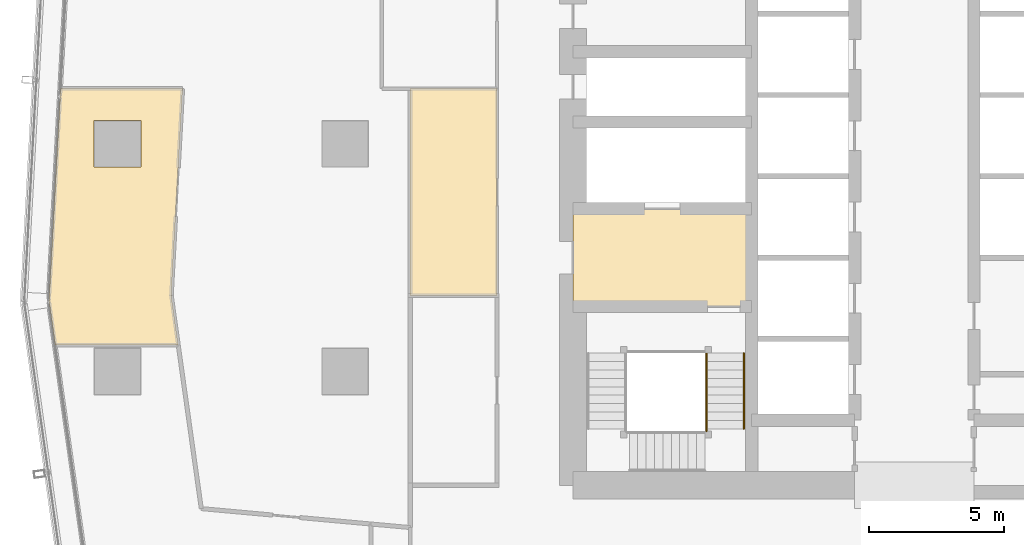
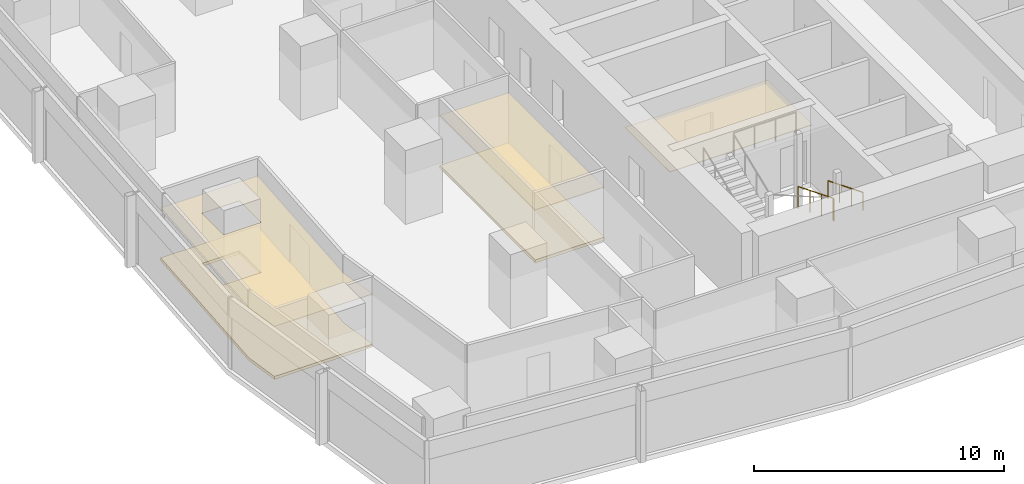
# One storey, part 34 of 40: 5 coverings, 3 railings.
"""IFC4 building model written with IfcOpenShell, lengths in metres."""

from ifc_helpers import new_model, si_unit, direction, frame, origin, origin_2d, place, context, subcontext, project, spatial, polyline, circle, outline, extrude, material, layer, layer_set, type_object, element, save


model = new_model("IFC4")

# Units and contexts
model_context = context("Model", 3, precision=1e-05, world=origin(), true_north=direction((0.0, 1.0)))
body_context = subcontext(model_context, "Body", "Model", "MODEL_VIEW")
ifc_project = project(units=[si_unit("LENGTHUNIT", "METRE"), si_unit("AREAUNIT", "SQUARE_METRE"), si_unit("VOLUMEUNIT", "CUBIC_METRE"), si_unit("PLANEANGLEUNIT", "RADIAN"), si_unit("MASSUNIT", "GRAM", prefix="KILO")], contexts=[model_context])

# Site, building, storey
site_placement = place(None, origin())
site = spatial("IfcSite", under=ifc_project, at=site_placement, CompositionType="ELEMENT")
building_placement = place(site_placement, origin())
building = spatial("IfcBuilding", under=site, at=building_placement, Name="Rekha Terrace Tower", CompositionType="ELEMENT")
storey_placement = place(building_placement, frame((0.0, 0.0, 106.550048828125)))
storey = spatial("IfcBuildingStorey", under=building, at=storey_placement, Name="L26", CompositionType="ELEMENT", Elevation=106.550048828125)

# Coverings
ifc_material_1 = material(Name="Mineral fibre tile in exposed grid", Category="finish")
ifc_layer_1 = layer(ifc_material_1, 0.02001953125)
ifc_layer_set_1 = layer_set([ifc_layer_1], Name="Mineral fibre tile in exposed grid")
covering_type_1 = type_object("IfcCoveringType", Name="CL1 600x1200 office grid ceiling", PredefinedType="CEILING", material=ifc_layer_set_1)
covering_1_placement = place(storey_placement, frame((0.0, 0.0, 2.579833984375)))
element("IfcCovering", 1, at=covering_1_placement, inside=storey, type_object=covering_type_1, Name="Ceiling L26-18", PredefinedType="CEILING", context=body_context, shape_type="SweptSolid", body=[
    extrude(outline(polyline([(10.381103515625, 28.006103515625), (10.800048828125, 35.634033203125), (6.29296875, 35.634033203125), (5.864013671875, 27.81298828125), (6.094970703125, 26.177001953125), (10.638916015625, 26.177001953125), (10.381103515625, 28.006103515625)]), holes=[polyline([(9.264892578125, 32.735107421875), (7.534912109375, 32.735107421875), (7.534912109375, 34.465087890625), (9.264892578125, 34.465087890625), (9.264892578125, 32.735107421875)])]), origin(), (0.0, 0.0, 1.0), 0.02001953125),
])
covering_2_placement = place(storey_placement, frame((0.0, 0.0, 2.579833984375)))
element("IfcCovering", 2, at=covering_2_placement, inside=storey, type_object=covering_type_1, Name="Ceiling L26-21", PredefinedType="CEILING", context=body_context, shape_type="SweptSolid", body=[
    extrude(outline(polyline([(19.199951171875, 35.636962890625), (19.199951171875, 28.0), (22.39990234375, 28.0), (22.39990234375, 35.636962890625), (19.199951171875, 35.636962890625)])), origin(), (0.0, 0.0, 1.0), 0.02001953125),
])
ifc_material_2 = material(Name="Powder-coated aluminium pan", Category="aluminium")
ifc_layer_2 = layer(ifc_material_2, 0.030029296875)
ifc_layer_set_2 = layer_set([ifc_layer_2], Name="Powder-coated aluminium pan")
covering_type_2 = type_object("IfcCoveringType", Name="CL3 300x1200 metal pan ceiling", PredefinedType="CEILING", material=ifc_layer_set_2)
covering_3_placement = place(storey_placement, frame((0.0, 0.0, 2.570068359375)))
element("IfcCovering", 3, at=covering_3_placement, inside=storey, type_object=covering_type_2, Name="Ceiling L26-FLB1", PredefinedType="CEILING", context=body_context, shape_type="SweptSolid", body=[
    extrude(outline(polyline([(31.800048828125, 31.199951171875), (25.199951171875, 31.199951171875), (25.199951171875, 27.60009765625), (31.800048828125, 27.60009765625), (31.800048828125, 31.199951171875)])), origin(), (0.0, 0.0, 1.0), 0.02978515625),
])

# Railings
ifc_material_3 = material(Name="Stainless steel balustrade", Category="steel")
railing_type_1 = type_object("IfcRailingType", Name="GR1 1100 stair guard", PredefinedType="GUARDRAIL", material=ifc_material_3)
railing_1_placement = place(storey_placement, frame((30.135009765625, 25.875, 0.125)))
element("IfcRailing", 4, at=railing_1_placement, inside=storey, type_object=railing_type_1, Name="Guard ST1 L26 flight 1", PredefinedType="GUARDRAIL", context=body_context, shape_type="SweptSolid", body=[
    extrude(circle(Radius=0.02392578125, at=origin_2d()), frame((0.0, 0.0, 1.076171875), z_axis=(0.0, -0.927443287984, 0.373963831907), x_axis=(1.0, 0.0, 0.0)), (0.0, 0.0, 1.0), 3.00830078125),
    extrude(circle(Radius=0.02099609375, at=origin_2d()), origin(), (0.0, 0.0, 1.0), 1.052001953125),
    extrude(circle(Radius=0.02099609375, at=origin_2d()), frame((0.0, -0.929931640625, 0.375)), (0.0, 0.0, 1.0), 1.052001953125),
    extrude(circle(Radius=0.02099609375, at=origin_2d()), frame((0.0, -1.860107421875, 0.75)), (0.0, 0.0, 1.0), 1.052001953125),
    extrude(circle(Radius=0.02099609375, at=origin_2d()), frame((0.0, -2.7900390625, 1.125)), (0.0, 0.0, 1.0), 1.052001953125),
])
railing_2_placement = place(storey_placement, frame((30.135009765625, 23.0849609375, 1.25)))
element("IfcRailing", 5, at=railing_2_placement, inside=storey, type_object=railing_type_1, Name="Guard ST1 L26 landing 1", PredefinedType="GUARDRAIL", context=body_context, shape_type="SweptSolid", body=[
    extrude(circle(Radius=0.02392578125, at=origin_2d()), frame((0.0, 0.0, 1.076171875), z_axis=(0.0, -1.0, 0.0), x_axis=(1.0, 0.0, 0.0)), (0.0, 0.0, 1.0), 0.0849609375),
    extrude(circle(Radius=0.02099609375, at=origin_2d()), origin(), (0.0, 0.0, 1.0), 1.052001953125),
    extrude(circle(Radius=0.02099609375, at=origin_2d()), frame((0.0, -0.0849609375, 0.0)), (0.0, 0.0, 1.0), 1.052001953125),
])
ifc_material_4 = material(Name="Stainless steel tube", Category="steel")
railing_type_2 = type_object("IfcRailingType", Name="HR1 900 stair handrail", PredefinedType="HANDRAIL", material=ifc_material_4)
railing_3_placement = place(storey_placement, frame((31.514892578125, 25.875, 0.125)))
element("IfcRailing", 6, at=railing_3_placement, inside=storey, type_object=railing_type_2, Name="Handrail ST1 L26 flight 1", PredefinedType="HANDRAIL", context=body_context, shape_type="SweptSolid", body=[
    extrude(circle(Radius=0.02392578125, at=origin_2d()), frame((0.0, 0.0, 0.8759765625), z_axis=(0.0, -0.927443287984, 0.373963831907), x_axis=(1.0, 0.0, 0.0)), (0.0, 0.0, 1.0), 3.00830078125),
    extrude(circle(Radius=0.02099609375, at=origin_2d()), origin(), (0.0, 0.0, 1.0), 0.851806640625),
    extrude(circle(Radius=0.02099609375, at=origin_2d()), frame((0.0, -0.929931640625, 0.375)), (0.0, 0.0, 1.0), 0.851806640625),
    extrude(circle(Radius=0.02099609375, at=origin_2d()), frame((0.0, -1.860107421875, 0.75)), (0.0, 0.0, 1.0), 0.851806640625),
    extrude(circle(Radius=0.02099609375, at=origin_2d()), frame((0.0, -2.7900390625, 1.125)), (0.0, 0.0, 1.0), 0.851806640625),
])

# Coverings
ifc_material_5 = material(Name="Calcium sulphate panels on steel pedestals", Category="steel")
ifc_layer_3 = layer(ifc_material_5, 0.14990234375)
ifc_layer_set_3 = layer_set([ifc_layer_3], Name="Calcium sulphate panels on steel pedestals")
covering_type_3 = type_object("IfcCoveringType", Name="RF1 150 raised access floor", PredefinedType="FLOORING", material=ifc_layer_set_3)
covering_4_placement = place(storey_placement, origin())
element("IfcCovering", 7, at=covering_4_placement, inside=storey, type_object=covering_type_3, Name="Raised floor L26-18", PredefinedType="FLOORING", context=body_context, shape_type="SweptSolid", body=[
    extrude(outline(polyline([(10.381103515625, 28.006103515625), (10.800048828125, 35.634033203125), (6.29296875, 35.634033203125), (5.864013671875, 27.81298828125), (6.094970703125, 26.177001953125), (10.638916015625, 26.177001953125), (10.381103515625, 28.006103515625)]), holes=[polyline([(9.264892578125, 32.735107421875), (7.534912109375, 32.735107421875), (7.534912109375, 34.465087890625), (9.264892578125, 34.465087890625), (9.264892578125, 32.735107421875)])]), origin(), (0.0, 0.0, 1.0), 0.14990234375),
])
covering_5_placement = place(storey_placement, origin())
element("IfcCovering", 8, at=covering_5_placement, inside=storey, type_object=covering_type_3, Name="Raised floor L26-21", PredefinedType="FLOORING", context=body_context, shape_type="SweptSolid", body=[
    extrude(outline(polyline([(19.199951171875, 35.636962890625), (19.199951171875, 28.0), (22.39990234375, 28.0), (22.39990234375, 35.636962890625), (19.199951171875, 35.636962890625)])), origin(), (0.0, 0.0, 1.0), 0.14990234375),
])

save(model, "model.ifc")
